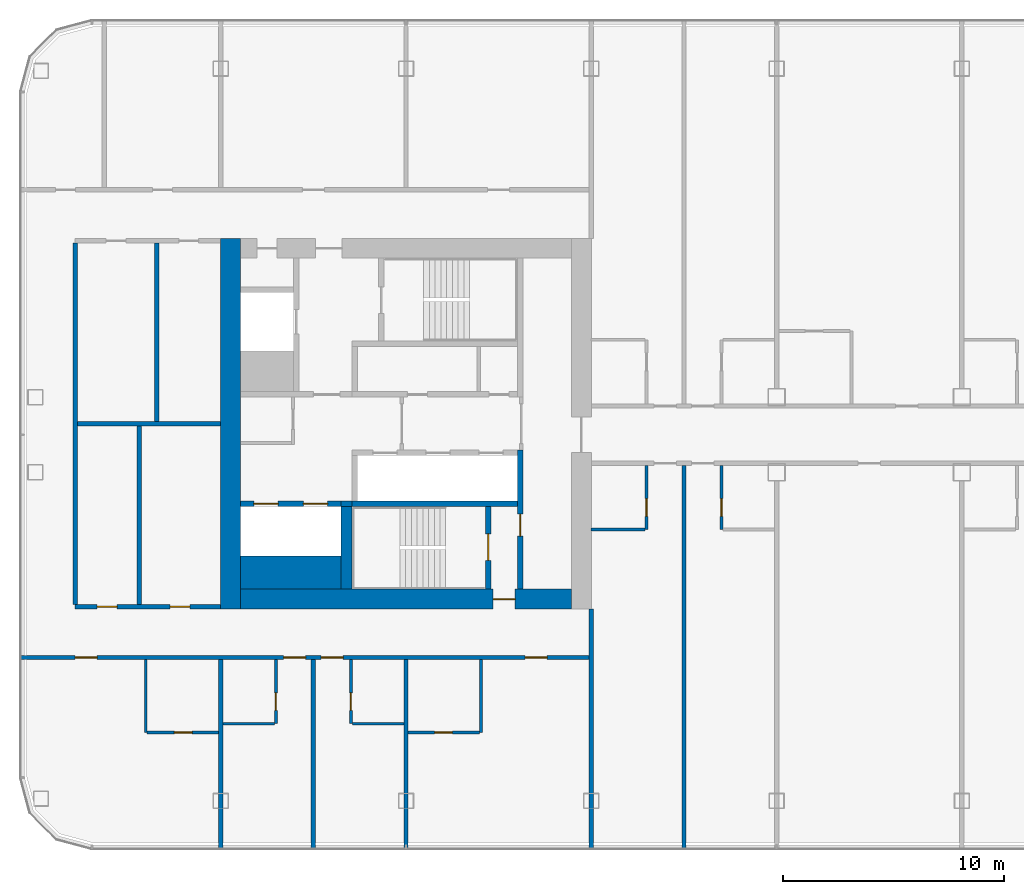
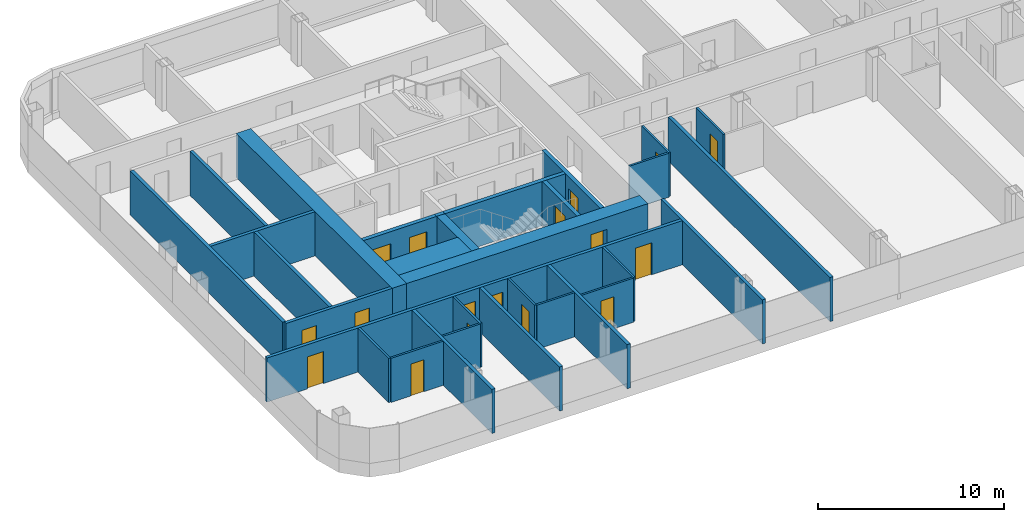
# One storey, part 12 of 26: 31 walls, 17 doors, 17 openings.
"""IFC4 building model written with IfcOpenShell, lengths in metres."""

from ifc_helpers import new_model, si_unit, direction, frame, frame_2d, origin, place, context, subcontext, project, spatial, rectangle, extrude, material, layer, layer_set, type_object, element, fill, save


model = new_model("IFC4")

# Units and contexts
model_context = context("Model", 3, precision=1e-05, world=origin(), true_north=direction((0.0, 1.0)))
body_context = subcontext(model_context, "Body", "Model", "MODEL_VIEW")
ifc_project = project(units=[si_unit("LENGTHUNIT", "METRE"), si_unit("AREAUNIT", "SQUARE_METRE"), si_unit("VOLUMEUNIT", "CUBIC_METRE"), si_unit("PLANEANGLEUNIT", "RADIAN"), si_unit("MASSUNIT", "GRAM", prefix="KILO")], contexts=[model_context])

# Site, building, storey
site_placement = place(None, origin())
site = spatial("IfcSite", under=ifc_project, at=site_placement, CompositionType="ELEMENT")
building_placement = place(site_placement, origin())
building = spatial("IfcBuilding", under=site, at=building_placement, Name="Hakoniwa Tower and Hamabe Station Hall", CompositionType="ELEMENT")
storey_placement = place(building_placement, frame((0.0, 0.0, 172.60009765625)))
storey = spatial("IfcBuildingStorey", under=building, at=storey_placement, Name="L49", CompositionType="ELEMENT", Elevation=172.60009765625)

# Wall, opening, door
ifc_material_1 = material(Name="Gypsum board partition", Category="gypsum")
ifc_layer_1 = layer(ifc_material_1, 0.125)
ifc_layer_set_1 = layer_set([ifc_layer_1], Name="Bathroom Partition 125")
wall_type_1 = type_object("IfcWallType", Name="Bathroom Partition 125", PredefinedType="PARTITIONING", material=ifc_layer_set_1)
wall_1_placement = place(storey_placement, frame((-36.9375, -14.0, 0.0), z_axis=(0.0, 0.0, 1.0), x_axis=(1.0, 0.0, 0.0)))
wall_1 = element("IfcWall", 1, at=wall_1_placement, inside=storey, type_object=wall_type_1, Name="GW-L49-001", PredefinedType="PARTITIONING", context=body_context, shape_type="SweptSolid", body=[
    extrude(rectangle(XDim=3.237548828125, YDim=0.125, at=frame_2d((1.61865234375, 0.0))), origin(), (0.0, 0.0, 1.0), 2.89990234375),
])
opening_1_placement = place(wall_1_placement, frame((1.237548828125, 0.0, 0.0)))
opening_1 = element("IfcOpeningElement", 2, at=opening_1_placement, cuts=wall_1, Name="Opening GD-G3D2-01", PredefinedType="OPENING", context=body_context, shape_type="SweptSolid", body=[
    extrude(rectangle(XDim=0.800048828125, YDim=2.10009765625, at=frame_2d((0.39990234375, 1.050048828125))), frame((0.0, 0.072509765625, 0.0), z_axis=(0.0, -1.0, 0.0), x_axis=(1.0, 0.0, 0.0)), (0.0, 0.0, 1.0), 0.14501953125),
])
ifc_material_2 = material(Name="Timber door leaf", Category="wood")
door_type_1 = type_object("IfcDoorType", Name="Bathroom Door 800", OperationType="SINGLE_SWING_LEFT", PredefinedType="DOOR", material=ifc_material_2)
door_1_placement = place(opening_1_placement, origin())
door_1 = element("IfcDoor", 3, at=door_1_placement, inside=storey, type_object=door_type_1, Name="Door GD-G3D2-01", OperationType="SINGLE_SWING_RIGHT", OverallHeight=2.10009765625, OverallWidth=0.800048828125, PredefinedType="DOOR", context=body_context, shape_type="SweptSolid", body=[
    extrude(rectangle(XDim=0.800048828125, YDim=2.10009765625, at=frame_2d((0.39990234375, 1.050048828125))), frame((0.0, 0.02490234375, 0.0), z_axis=(0.0, -1.0, 0.0), x_axis=(1.0, 0.0, 0.0)), (0.0, 0.0, 1.0), 0.050048828125),
])
fill(opening_1, door_1)

wall_2_placement = place(storey_placement, frame((-25.10009765625, -14.0, 0.0), z_axis=(0.0, 0.0, 1.0), x_axis=(1.0, 0.0, 0.0)))
wall_2 = element("IfcWall", 4, at=wall_2_placement, inside=storey, type_object=wall_type_1, Name="GW-L49-002", PredefinedType="PARTITIONING", context=body_context, shape_type="SweptSolid", body=[
    extrude(rectangle(XDim=3.237548828125, YDim=0.125, at=frame_2d((1.61865234375, 0.0))), origin(), (0.0, 0.0, 1.0), 2.89990234375),
])
opening_2_placement = place(wall_2_placement, frame((1.199951171875, 0.0, 0.0)))
opening_2 = element("IfcOpeningElement", 5, at=opening_2_placement, cuts=wall_2, Name="Opening GD-G3D2-02", PredefinedType="OPENING", context=body_context, shape_type="SweptSolid", body=[
    extrude(rectangle(XDim=0.800048828125, YDim=2.10009765625, at=frame_2d((0.39990234375, 1.050048828125))), frame((0.0, 0.072509765625, 0.0), z_axis=(0.0, -1.0, 0.0), x_axis=(1.0, 0.0, 0.0)), (0.0, 0.0, 1.0), 0.14501953125),
])
door_2_placement = place(opening_2_placement, origin())
door_2 = element("IfcDoor", 6, at=door_2_placement, inside=storey, type_object=door_type_1, Name="Door GD-G3D2-02", OperationType="SINGLE_SWING_LEFT", OverallHeight=2.10009765625, OverallWidth=0.800048828125, PredefinedType="DOOR", context=body_context, shape_type="SweptSolid", body=[
    extrude(rectangle(XDim=0.800048828125, YDim=2.10009765625, at=frame_2d((0.39990234375, 1.050048828125))), frame((0.0, 0.02490234375, 0.0), z_axis=(0.0, -1.0, 0.0), x_axis=(1.0, 0.0, 0.0)), (0.0, 0.0, 1.0), 0.050048828125),
])
fill(opening_2, door_2)

# Walls
for number, where, z_axis, x_axis, name in (
    (7, (-33.5, -13.60009765625, 0.0), (0.0, 0.0, 1.0), (1.0, 0.0, 0.0), "GW-L49-004"),
    (8, (-27.637451171875, -13.60009765625, 0.0), (0.0, 0.0, 1.0), (1.0, 0.0, 0.0), "GW-L49-005"),
):
    element("IfcWall", number, at=place(storey_placement, frame(where, z_axis=z_axis, x_axis=x_axis)), inside=storey, type_object=wall_type_1, Name=name, PredefinedType="PARTITIONING", context=body_context, shape_type="SweptSolid", body=[
        extrude(rectangle(XDim=2.33740234375, YDim=0.125, at=frame_2d((1.168701171875, 0.0))), origin(), (0.0, 0.0, 1.0), 2.89990234375),
    ])
wall_3_placement = place(storey_placement, frame((-16.81005859375, -4.800048828125, 0.0), z_axis=(0.0, 0.0, 1.0), x_axis=(1.0, 0.0, 0.0)))
element("IfcWall", 9, at=wall_3_placement, inside=storey, type_object=wall_type_1, Name="GW-L49-015", PredefinedType="PARTITIONING", context=body_context, shape_type="SweptSolid", body=[
    extrude(rectangle(XDim=2.447509765625, YDim=0.125, at=frame_2d((1.2236328125, 0.0))), origin(), (0.0, 0.0, 1.0), 2.89990234375),
])
wall_4_placement = place(storey_placement, frame((-37.0, -14.0, 0.0), z_axis=(0.0, 0.0, 1.0), x_axis=(0.0, 1.0, 0.0)))
element("IfcWall", 10, at=wall_4_placement, inside=storey, type_object=wall_type_1, Name="GW-L49-036", PredefinedType="PARTITIONING", context=body_context, shape_type="SweptSolid", body=[
    extrude(rectangle(XDim=3.300048828125, YDim=0.125, at=frame_2d((1.64990234375, 0.0))), origin(), (0.0, 0.0, 1.0), 2.89990234375),
])

# Wall, opening, door
wall_5_placement = place(storey_placement, frame((-31.10009765625, -13.60009765625, 0.0), z_axis=(0.0, 0.0, 1.0), x_axis=(0.0, 1.0, 0.0)))
wall_5 = element("IfcWall", 11, at=wall_5_placement, inside=storey, type_object=wall_type_1, Name="GW-L49-040", PredefinedType="PARTITIONING", context=body_context, shape_type="SweptSolid", body=[
    extrude(rectangle(XDim=2.900146484375, YDim=0.125, at=frame_2d((1.4501953125, 0.0))), origin(), (0.0, 0.0, 1.0), 2.89990234375),
])
opening_3_placement = place(wall_5_placement, frame((0.60009765625, 0.0, 0.0)))
opening_3 = element("IfcOpeningElement", 12, at=opening_3_placement, cuts=wall_5, Name="Opening GD-G3D2-42", PredefinedType="OPENING", context=body_context, shape_type="SweptSolid", body=[
    extrude(rectangle(XDim=0.800048828125, YDim=2.10009765625, at=frame_2d((0.39990234375, 1.050048828125))), frame((0.0, 0.072509765625, 0.0), z_axis=(0.0, -1.0, 0.0), x_axis=(1.0, 0.0, 0.0)), (0.0, 0.0, 1.0), 0.14501953125),
])
door_3_placement = place(opening_3_placement, origin())
door_3 = element("IfcDoor", 13, at=door_3_placement, inside=storey, type_object=door_type_1, Name="Door GD-G3D2-42", OperationType="SINGLE_SWING_RIGHT", OverallHeight=2.10009765625, OverallWidth=0.800048828125, PredefinedType="DOOR", context=body_context, shape_type="SweptSolid", body=[
    extrude(rectangle(XDim=0.800048828125, YDim=2.10009765625, at=frame_2d((0.39990234375, 1.050048828125))), frame((0.0, 0.02490234375, 0.0), z_axis=(0.0, -1.0, 0.0), x_axis=(1.0, 0.0, 0.0)), (0.0, 0.0, 1.0), 0.050048828125),
])
fill(opening_3, door_3)

wall_6_placement = place(storey_placement, frame((-27.699951171875, -13.60009765625, 0.0), z_axis=(0.0, 0.0, 1.0), x_axis=(0.0, 1.0, 0.0)))
wall_6 = element("IfcWall", 14, at=wall_6_placement, inside=storey, type_object=wall_type_1, Name="GW-L49-042", PredefinedType="PARTITIONING", context=body_context, shape_type="SweptSolid", body=[
    extrude(rectangle(XDim=2.900146484375, YDim=0.125, at=frame_2d((1.4501953125, 0.0))), origin(), (0.0, 0.0, 1.0), 2.89990234375),
])
opening_4_placement = place(wall_6_placement, frame((0.60009765625, 0.0, 0.0)))
opening_4 = element("IfcOpeningElement", 15, at=opening_4_placement, cuts=wall_6, Name="Opening GD-G3D2-43", PredefinedType="OPENING", context=body_context, shape_type="SweptSolid", body=[
    extrude(rectangle(XDim=0.800048828125, YDim=2.10009765625, at=frame_2d((0.39990234375, 1.050048828125))), frame((0.0, 0.072509765625, 0.0), z_axis=(0.0, -1.0, 0.0), x_axis=(1.0, 0.0, 0.0)), (0.0, 0.0, 1.0), 0.14501953125),
])
door_4_placement = place(opening_4_placement, origin())
door_4 = element("IfcDoor", 16, at=door_4_placement, inside=storey, type_object=door_type_1, Name="Door GD-G3D2-43", OperationType="SINGLE_SWING_LEFT", OverallHeight=2.10009765625, OverallWidth=0.800048828125, PredefinedType="DOOR", context=body_context, shape_type="SweptSolid", body=[
    extrude(rectangle(XDim=0.800048828125, YDim=2.10009765625, at=frame_2d((0.39990234375, 1.050048828125))), frame((0.0, 0.02490234375, 0.0), z_axis=(0.0, -1.0, 0.0), x_axis=(1.0, 0.0, 0.0)), (0.0, 0.0, 1.0), 0.050048828125),
])
fill(opening_4, door_4)

# Wall
wall_7_placement = place(storey_placement, frame((-21.800048828125, -14.0, 0.0), z_axis=(0.0, 0.0, 1.0), x_axis=(0.0, 1.0, 0.0)))
element("IfcWall", 17, at=wall_7_placement, inside=storey, type_object=wall_type_1, Name="GW-L49-045", PredefinedType="PARTITIONING", context=body_context, shape_type="SweptSolid", body=[
    extrude(rectangle(XDim=3.300048828125, YDim=0.125, at=frame_2d((1.64990234375, 0.0))), origin(), (0.0, 0.0, 1.0), 2.89990234375),
])

# Wall, opening, door
wall_8_placement = place(storey_placement, frame((-14.300048828125, -4.800048828125, 0.0), z_axis=(0.0, 0.0, 1.0), x_axis=(0.0, 1.0, 0.0)))
wall_8 = element("IfcWall", 18, at=wall_8_placement, inside=storey, type_object=wall_type_1, Name="GW-L49-048", PredefinedType="PARTITIONING", context=body_context, shape_type="SweptSolid", body=[
    extrude(rectangle(XDim=2.900146484375, YDim=0.125, at=frame_2d((1.4501953125, 0.0))), origin(), (0.0, 0.0, 1.0), 2.89990234375),
])
opening_5_placement = place(wall_8_placement, frame((0.60009765625, 0.0, 0.0)))
opening_5 = element("IfcOpeningElement", 19, at=opening_5_placement, cuts=wall_8, Name="Opening GD-G3D2-44", PredefinedType="OPENING", context=body_context, shape_type="SweptSolid", body=[
    extrude(rectangle(XDim=0.800048828125, YDim=2.10009765625, at=frame_2d((0.39990234375, 1.050048828125))), frame((0.0, 0.072509765625, 0.0), z_axis=(0.0, -1.0, 0.0), x_axis=(1.0, 0.0, 0.0)), (0.0, 0.0, 1.0), 0.14501953125),
])
door_5_placement = place(opening_5_placement, origin())
door_5 = element("IfcDoor", 20, at=door_5_placement, inside=storey, type_object=door_type_1, Name="Door GD-G3D2-44", OperationType="SINGLE_SWING_RIGHT", OverallHeight=2.10009765625, OverallWidth=0.800048828125, PredefinedType="DOOR", context=body_context, shape_type="SweptSolid", body=[
    extrude(rectangle(XDim=0.800048828125, YDim=2.10009765625, at=frame_2d((0.39990234375, 1.050048828125))), frame((0.0, 0.02490234375, 0.0), z_axis=(0.0, -1.0, 0.0), x_axis=(1.0, 0.0, 0.0)), (0.0, 0.0, 1.0), 0.050048828125),
])
fill(opening_5, door_5)

wall_9_placement = place(storey_placement, frame((-10.89990234375, -4.800048828125, 0.0), z_axis=(0.0, 0.0, 1.0), x_axis=(0.0, 1.0, 0.0)))
wall_9 = element("IfcWall", 21, at=wall_9_placement, inside=storey, type_object=wall_type_1, Name="GW-L49-052", PredefinedType="PARTITIONING", context=body_context, shape_type="SweptSolid", body=[
    extrude(rectangle(XDim=2.900146484375, YDim=0.125, at=frame_2d((1.4501953125, 0.0))), origin(), (0.0, 0.0, 1.0), 2.89990234375),
])
opening_6_placement = place(wall_9_placement, frame((0.60009765625, 0.0, 0.0)))
opening_6 = element("IfcOpeningElement", 22, at=opening_6_placement, cuts=wall_9, Name="Opening GD-G3D2-46", PredefinedType="OPENING", context=body_context, shape_type="SweptSolid", body=[
    extrude(rectangle(XDim=0.800048828125, YDim=2.10009765625, at=frame_2d((0.39990234375, 1.050048828125))), frame((0.0, 0.072509765625, 0.0), z_axis=(0.0, -1.0, 0.0), x_axis=(1.0, 0.0, 0.0)), (0.0, 0.0, 1.0), 0.14501953125),
])
door_6_placement = place(opening_6_placement, origin())
door_6 = element("IfcDoor", 23, at=door_6_placement, inside=storey, type_object=door_type_1, Name="Door GD-G3D2-46", OperationType="SINGLE_SWING_LEFT", OverallHeight=2.10009765625, OverallWidth=0.800048828125, PredefinedType="DOOR", context=body_context, shape_type="SweptSolid", body=[
    extrude(rectangle(XDim=0.800048828125, YDim=2.10009765625, at=frame_2d((0.39990234375, 1.050048828125))), frame((0.0, 0.02490234375, 0.0), z_axis=(0.0, -1.0, 0.0), x_axis=(1.0, 0.0, 0.0)), (0.0, 0.0, 1.0), 0.050048828125),
])
fill(opening_6, door_6)

# Wall
ifc_material_3 = material(Name="Concrete C66", Category="concrete")
ifc_layer_2 = layer(ifc_material_3, 0.89990234375)
ifc_layer_set_2 = layer_set([ifc_layer_2], Name="CORE WALL 900 C66")
wall_type_2 = type_object("IfcWallType", Name="CORE WALL 900 C66", PredefinedType="SHEAR", material=ifc_layer_set_2)
wall_10_placement = place(storey_placement, frame((-33.14990234375, -8.39990234375, 0.0), z_axis=(0.0, 0.0, 1.0), x_axis=(0.0, 1.0, 0.0)))
element("IfcWall", 24, at=wall_10_placement, inside=storey, type_object=wall_type_2, Name="Core wall OUTER west", PredefinedType="SHEAR", context=body_context, shape_type="SweptSolid", body=[
    extrude(rectangle(XDim=16.7998046875, YDim=0.89990234375, at=frame_2d((8.39990234375, 0.0))), origin(), (0.0, 0.0, 1.0), 2.89990234375),
])

# Wall, opening, door
wall_11_placement = place(storey_placement, frame((-32.699951171875, -7.949951171875, 0.0), z_axis=(0.0, 0.0, 1.0), x_axis=(1.0, 0.0, 0.0)))
wall_11 = element("IfcWall", 25, at=wall_11_placement, inside=storey, type_object=wall_type_2, Name="Core wall SOUTH west", PredefinedType="SHEAR", context=body_context, shape_type="SweptSolid", body=[
    extrude(rectangle(XDim=15.0, YDim=0.89990234375, at=frame_2d((7.5, 0.0))), origin(), (0.0, 0.0, 1.0), 2.89990234375),
])
opening_7_placement = place(wall_11_placement, frame((11.449951171875, 0.0, 0.0)))
opening_7 = element("IfcOpeningElement", 26, at=opening_7_placement, cuts=wall_11, Name="Opening CD-W-FS3-10", PredefinedType="OPENING", context=body_context, shape_type="SweptSolid", body=[
    extrude(rectangle(XDim=1.0, YDim=2.10009765625, at=frame_2d((0.5, 1.050048828125))), frame((0.0, 0.4599609375, 0.0), z_axis=(0.0, -1.0, 0.0), x_axis=(1.0, 0.0, 0.0)), (0.0, 0.0, 1.0), 0.919921875),
])
ifc_material_4 = material(Name="Steel fire door", Category="steel")
door_type_2 = type_object("IfcDoorType", Name="CORE DOOR 1000 FD60", OperationType="NOTDEFINED", PredefinedType="DOOR", material=ifc_material_4)
door_7_placement = place(opening_7_placement, origin())
door_7 = element("IfcDoor", 27, at=door_7_placement, inside=storey, type_object=door_type_2, Name="Stair vestibule door", OperationType="SINGLE_SWING_LEFT", OverallHeight=2.10009765625, OverallWidth=1.0, PredefinedType="DOOR", context=body_context, shape_type="SweptSolid", body=[
    extrude(rectangle(XDim=1.0, YDim=2.10009765625, at=frame_2d((0.5, 1.050048828125))), frame((0.0, 0.02490234375, 0.0), z_axis=(0.0, -1.0, 0.0), x_axis=(1.0, 0.0, 0.0)), (0.0, 0.0, 1.0), 0.050048828125),
])
fill(opening_7, door_7)

# Wall
ifc_material_5 = material(Name="Concrete C66", Category="concrete")
ifc_layer_3 = layer(ifc_material_5, 1.5)
ifc_layer_set_3 = layer_set([ifc_layer_3], Name="CORE WEB WALL 1500 C66")
wall_type_3 = type_object("IfcWallType", Name="CORE WEB WALL 1500 C66", PredefinedType="SHEAR", material=ifc_layer_set_3)
wall_12_placement = place(storey_placement, frame((-32.699951171875, -6.75, 0.0), z_axis=(0.0, 0.0, 1.0), x_axis=(1.0, 0.0, 0.0)))
element("IfcWall", 28, at=wall_12_placement, inside=storey, type_object=wall_type_3, Name="Core wall SER west", PredefinedType="SHEAR", context=body_context, shape_type="SweptSolid", body=[
    extrude(rectangle(XDim=4.550048828125, YDim=1.5, at=frame_2d((2.27490234375, 0.0))), origin(), (0.0, 0.0, 1.0), 2.89990234375),
])

# Wall, opening, door
ifc_material_6 = material(Name="Concrete C66", Category="concrete")
ifc_layer_4 = layer(ifc_material_6, 0.25)
ifc_layer_set_4 = layer_set([ifc_layer_4], Name="CORE WEB WALL 250 C66")
wall_type_4 = type_object("IfcWallType", Name="CORE WEB WALL 250 C66", PredefinedType="SHEAR", material=ifc_layer_set_4)
wall_13_placement = place(storey_placement, frame((-20.02490234375, -7.5, 0.0), z_axis=(0.0, 0.0, 1.0), x_axis=(0.0, 1.0, 0.0)))
wall_13 = element("IfcWall", 29, at=wall_13_placement, inside=storey, type_object=wall_type_4, Name="Core wall W1S west", PredefinedType="SHEAR", context=body_context, shape_type="SweptSolid", body=[
    extrude(rectangle(XDim=6.300048828125, YDim=0.25, at=frame_2d((3.14990234375, 0.0))), origin(), (0.0, 0.0, 1.0), 2.89990234375),
])
opening_8_placement = place(wall_13_placement, frame((2.39990234375, 0.0, 0.0)))
opening_8 = element("IfcOpeningElement", 30, at=opening_8_placement, cuts=wall_13, Name="Opening CD-W-VS-10", PredefinedType="OPENING", context=body_context, shape_type="SweptSolid", body=[
    extrude(rectangle(XDim=1.0, YDim=2.10009765625, at=frame_2d((0.5, 1.050048828125))), frame((0.0, 0.135009765625, 0.0), z_axis=(0.0, -1.0, 0.0), x_axis=(1.0, 0.0, 0.0)), (0.0, 0.0, 1.0), 0.27001953125),
])
door_8_placement = place(opening_8_placement, origin())
door_8 = element("IfcDoor", 31, at=door_8_placement, inside=storey, type_object=door_type_2, Name="Stair vestibule door", OperationType="SINGLE_SWING_LEFT", OverallHeight=2.10009765625, OverallWidth=1.0, PredefinedType="DOOR", context=body_context, shape_type="SweptSolid", body=[
    extrude(rectangle(XDim=1.0, YDim=2.10009765625, at=frame_2d((0.5, 1.050048828125))), frame((0.0, 0.02490234375, 0.0), z_axis=(0.0, -1.0, 0.0), x_axis=(1.0, 0.0, 0.0)), (0.0, 0.0, 1.0), 0.050048828125),
])
fill(opening_8, door_8)

# Wall
wall_14_placement = place(storey_placement, frame((-27.64990234375, -3.625, 0.0), z_axis=(0.0, 0.0, 1.0), x_axis=(1.0, 0.0, 0.0)))
element("IfcWall", 32, at=wall_14_placement, inside=storey, type_object=wall_type_4, Name="Core wall SR west", PredefinedType="SHEAR", context=body_context, shape_type="SweptSolid", body=[
    extrude(rectangle(XDim=7.5, YDim=0.25, at=frame_2d((3.75, 0.0))), origin(), (0.0, 0.0, 1.0), 2.89990234375),
])

# Wall, opening, door
wall_15_placement = place(storey_placement, frame((-21.47509765625, -7.5, 0.0), z_axis=(0.0, 0.0, 1.0), x_axis=(0.0, 1.0, 0.0)))
wall_15 = element("IfcWall", 33, at=wall_15_placement, inside=storey, type_object=wall_type_4, Name="Core wall VE west", PredefinedType="SHEAR", context=body_context, shape_type="SweptSolid", body=[
    extrude(rectangle(XDim=3.75, YDim=0.25, at=frame_2d((1.875, 0.0))), origin(), (0.0, 0.0, 1.0), 2.89990234375),
])
opening_9_placement = place(wall_15_placement, frame((1.300048828125, 0.0, 0.0)))
opening_9 = element("IfcOpeningElement", 34, at=opening_9_placement, cuts=wall_15, Name="Opening CD-W-SS-12", PredefinedType="OPENING", context=body_context, shape_type="SweptSolid", body=[
    extrude(rectangle(XDim=1.199951171875, YDim=2.10009765625, at=frame_2d((0.60009765625, 1.050048828125))), frame((0.0, 0.135009765625, 0.0), z_axis=(0.0, -1.0, 0.0), x_axis=(1.0, 0.0, 0.0)), (0.0, 0.0, 1.0), 0.27001953125),
])
ifc_material_7 = material(Name="Steel fire door", Category="steel")
door_type_3 = type_object("IfcDoorType", Name="CORE DOOR 1200 FD60", OperationType="DOUBLE_DOOR_SINGLE_SWING", PredefinedType="DOOR", material=ifc_material_7)
door_9_placement = place(opening_9_placement, origin())
door_9 = element("IfcDoor", 35, at=door_9_placement, inside=storey, type_object=door_type_3, Name="Escape stair door", OperationType="DOUBLE_DOOR_SINGLE_SWING", OverallHeight=2.10009765625, OverallWidth=1.199951171875, PredefinedType="DOOR", context=body_context, shape_type="SweptSolid", body=[
    extrude(rectangle(XDim=1.199951171875, YDim=2.10009765625, at=frame_2d((0.60009765625, 1.050048828125))), frame((0.0, 0.02490234375, 0.0), z_axis=(0.0, -1.0, 0.0), x_axis=(1.0, 0.0, 0.0)), (0.0, 0.0, 1.0), 0.050048828125),
])
fill(opening_9, door_9)

# Wall, openings, doors
wall_16_placement = place(storey_placement, frame((-32.699951171875, -3.625, 0.0), z_axis=(0.0, 0.0, 1.0), x_axis=(1.0, 0.0, 0.0)))
wall_16 = element("IfcWall", 36, at=wall_16_placement, inside=storey, type_object=wall_type_4, Name="Core wall SEF west", PredefinedType="SHEAR", context=body_context, shape_type="SweptSolid", body=[
    extrude(rectangle(XDim=4.550048828125, YDim=0.25, at=frame_2d((2.27490234375, 0.0))), origin(), (0.0, 0.0, 1.0), 2.89990234375),
])
opening_10_placement = place(wall_16_placement, frame((2.85009765625, 0.0, 0.0)))
opening_10 = element("IfcOpeningElement", 37, at=opening_10_placement, cuts=wall_16, Name="Opening LD-SV1", PredefinedType="OPENING", context=body_context, shape_type="SweptSolid", body=[
    extrude(rectangle(XDim=1.10009765625, YDim=2.10009765625, at=frame_2d((0.550048828125, 1.050048828125))), frame((0.0, 0.135009765625, 0.0), z_axis=(0.0, -1.0, 0.0), x_axis=(1.0, 0.0, 0.0)), (0.0, 0.0, 1.0), 0.27001953125),
])
opening_11_placement = place(wall_16_placement, frame((0.60009765625, 0.0, 0.0)))
opening_11 = element("IfcOpeningElement", 38, at=opening_11_placement, cuts=wall_16, Name="Opening LD-SV2", PredefinedType="OPENING", context=body_context, shape_type="SweptSolid", body=[
    extrude(rectangle(XDim=1.10009765625, YDim=2.10009765625, at=frame_2d((0.550048828125, 1.050048828125))), frame((0.0, 0.135009765625, 0.0), z_axis=(0.0, -1.0, 0.0), x_axis=(1.0, 0.0, 0.0)), (0.0, 0.0, 1.0), 0.27001953125),
])
ifc_material_8 = material(Name="Stainless steel SUS304", Category="steel")
door_type_4 = type_object("IfcDoorType", Name="LIFT LANDING DOOR 1100 FD60", OperationType="DOUBLE_DOOR_SLIDING", PredefinedType="DOOR", material=ifc_material_8)
door_10_placement = place(opening_10_placement, origin())
door_10 = element("IfcDoor", 39, at=door_10_placement, inside=storey, type_object=door_type_4, Name="Lift landing door SV1 L49", OperationType="DOUBLE_DOOR_SLIDING", OverallHeight=2.10009765625, OverallWidth=1.10009765625, PredefinedType="DOOR", context=body_context, shape_type="SweptSolid", body=[
    extrude(rectangle(XDim=1.10009765625, YDim=2.10009765625, at=frame_2d((0.550048828125, 1.050048828125))), frame((0.0, 0.02490234375, 0.0), z_axis=(0.0, -1.0, 0.0), x_axis=(1.0, 0.0, 0.0)), (0.0, 0.0, 1.0), 0.050048828125),
])
fill(opening_10, door_10)
door_11_placement = place(opening_11_placement, origin())
door_11 = element("IfcDoor", 40, at=door_11_placement, inside=storey, type_object=door_type_4, Name="Lift landing door SV2 L49", OperationType="DOUBLE_DOOR_SLIDING", OverallHeight=2.10009765625, OverallWidth=1.10009765625, PredefinedType="DOOR", context=body_context, shape_type="SweptSolid", body=[
    extrude(rectangle(XDim=1.10009765625, YDim=2.10009765625, at=frame_2d((0.550048828125, 1.050048828125))), frame((0.0, 0.02490234375, 0.0), z_axis=(0.0, -1.0, 0.0), x_axis=(1.0, 0.0, 0.0)), (0.0, 0.0, 1.0), 0.050048828125),
])
fill(opening_11, door_11)

# Walls
wall_17_placement = place(storey_placement, frame((-28.14990234375, -3.625, 0.0), z_axis=(0.0, 0.0, 1.0), x_axis=(1.0, 0.0, 0.0)))
element("IfcWall", 41, at=wall_17_placement, inside=storey, type_object=wall_type_4, Name="Core wall SRK west", PredefinedType="SHEAR", context=body_context, shape_type="SweptSolid", body=[
    extrude(rectangle(XDim=0.5, YDim=0.25, at=frame_2d((0.25, 0.0))), origin(), (0.0, 0.0, 1.0), 2.89990234375),
])
ifc_material_9 = material(Name="Concrete C66", Category="concrete")
ifc_layer_5 = layer(ifc_material_9, 0.5)
ifc_layer_set_5 = layer_set([ifc_layer_5], Name="CORE WEB WALL 500 C66")
wall_type_5 = type_object("IfcWallType", Name="CORE WEB WALL 500 C66", PredefinedType="SHEAR", material=ifc_layer_set_5)
wall_18_placement = place(storey_placement, frame((-27.89990234375, -7.5, 0.0), z_axis=(0.0, 0.0, 1.0), x_axis=(0.0, 1.0, 0.0)))
element("IfcWall", 42, at=wall_18_placement, inside=storey, type_object=wall_type_5, Name="Core wall SSE west", PredefinedType="SHEAR", context=body_context, shape_type="SweptSolid", body=[
    extrude(rectangle(XDim=3.75, YDim=0.5, at=frame_2d((1.875, 0.0))), origin(), (0.0, 0.0, 1.0), 2.89990234375),
])

# Wall, openings, doors
ifc_material_10 = material(Name="Fire-rated gypsum board partition", Category="gypsum")
ifc_layer_6 = layer(ifc_material_10, 0.199951171875)
ifc_layer_set_6 = layer_set([ifc_layer_6], Name="Corridor Wall 200")
wall_type_6 = type_object("IfcWallType", Name="Corridor Wall 200", PredefinedType="PARTITIONING", material=ifc_layer_set_6)
wall_19_placement = place(storey_placement, frame((-42.699951171875, -10.60009765625, 0.0), z_axis=(0.0, 0.0, 1.0), x_axis=(1.0, 0.0, 0.0)))
wall_19 = element("IfcWall", 43, at=wall_19_placement, inside=storey, type_object=wall_type_6, Name="GW-L49-010", PredefinedType="PARTITIONING", context=body_context, shape_type="SweptSolid", body=[
    extrude(rectangle(XDim=25.89990234375, YDim=0.199951171875, at=frame_2d((12.949951171875, 0.0))), origin(), (0.0, 0.0, 1.0), 2.89990234375),
])
opening_12_placement = place(wall_19_placement, frame((2.5, 0.0, 0.0)))
opening_12 = element("IfcOpeningElement", 44, at=opening_12_placement, cuts=wall_19, Name="Opening GD-G3D2-04", PredefinedType="OPENING", context=body_context, shape_type="SweptSolid", body=[
    extrude(rectangle(XDim=1.0, YDim=2.10009765625, at=frame_2d((0.5, 1.050048828125))), frame((0.0, 0.10986328125, 0.0), z_axis=(0.0, -1.0, 0.0), x_axis=(1.0, 0.0, 0.0)), (0.0, 0.0, 1.0), 0.219970703125),
])
opening_13_placement = place(wall_19_placement, frame((11.949951171875, 0.0, 0.0)))
opening_13 = element("IfcOpeningElement", 45, at=opening_13_placement, cuts=wall_19, Name="Opening GD-G3D2-05", PredefinedType="OPENING", context=body_context, shape_type="SweptSolid", body=[
    extrude(rectangle(XDim=1.0, YDim=2.10009765625, at=frame_2d((0.5, 1.050048828125))), frame((0.0, 0.10986328125, 0.0), z_axis=(0.0, -1.0, 0.0), x_axis=(1.0, 0.0, 0.0)), (0.0, 0.0, 1.0), 0.219970703125),
])
opening_14_placement = place(wall_19_placement, frame((13.64990234375, 0.0, 0.0)))
opening_14 = element("IfcOpeningElement", 46, at=opening_14_placement, cuts=wall_19, Name="Opening GD-G3D2-06", PredefinedType="OPENING", context=body_context, shape_type="SweptSolid", body=[
    extrude(rectangle(XDim=1.0, YDim=2.10009765625, at=frame_2d((0.5, 1.050048828125))), frame((0.0, 0.10986328125, 0.0), z_axis=(0.0, -1.0, 0.0), x_axis=(1.0, 0.0, 0.0)), (0.0, 0.0, 1.0), 0.219970703125),
])
opening_15_placement = place(wall_19_placement, frame((22.89990234375, 0.0, 0.0)))
opening_15 = element("IfcOpeningElement", 47, at=opening_15_placement, cuts=wall_19, Name="Opening GD-G3D2-07", PredefinedType="OPENING", context=body_context, shape_type="SweptSolid", body=[
    extrude(rectangle(XDim=1.0, YDim=2.10009765625, at=frame_2d((0.5, 1.050048828125))), frame((0.0, 0.10986328125, 0.0), z_axis=(0.0, -1.0, 0.0), x_axis=(1.0, 0.0, 0.0)), (0.0, 0.0, 1.0), 0.219970703125),
])
ifc_material_11 = material(Name="Timber door leaf", Category="wood")
door_type_5 = type_object("IfcDoorType", Name="Guest Entrance Door 1000", OperationType="SINGLE_SWING_LEFT", PredefinedType="DOOR", material=ifc_material_11)
door_12_placement = place(opening_12_placement, origin())
door_12 = element("IfcDoor", 48, at=door_12_placement, inside=storey, type_object=door_type_5, Name="Door GD-G3D2-04", OperationType="SINGLE_SWING_RIGHT", OverallHeight=2.10009765625, OverallWidth=1.0, PredefinedType="DOOR", context=body_context, shape_type="SweptSolid", body=[
    extrude(rectangle(XDim=1.0, YDim=2.10009765625, at=frame_2d((0.5, 1.050048828125))), frame((0.0, 0.02490234375, 0.0), z_axis=(0.0, -1.0, 0.0), x_axis=(1.0, 0.0, 0.0)), (0.0, 0.0, 1.0), 0.050048828125),
])
fill(opening_12, door_12)
door_13_placement = place(opening_13_placement, origin())
door_13 = element("IfcDoor", 49, at=door_13_placement, inside=storey, type_object=door_type_5, Name="Door GD-G3D2-05", OperationType="SINGLE_SWING_LEFT", OverallHeight=2.10009765625, OverallWidth=1.0, PredefinedType="DOOR", context=body_context, shape_type="SweptSolid", body=[
    extrude(rectangle(XDim=1.0, YDim=2.10009765625, at=frame_2d((0.5, 1.050048828125))), frame((0.0, 0.02490234375, 0.0), z_axis=(0.0, -1.0, 0.0), x_axis=(1.0, 0.0, 0.0)), (0.0, 0.0, 1.0), 0.050048828125),
])
fill(opening_13, door_13)
door_14_placement = place(opening_14_placement, origin())
door_14 = element("IfcDoor", 50, at=door_14_placement, inside=storey, type_object=door_type_5, Name="Door GD-G3D2-06", OperationType="SINGLE_SWING_RIGHT", OverallHeight=2.10009765625, OverallWidth=1.0, PredefinedType="DOOR", context=body_context, shape_type="SweptSolid", body=[
    extrude(rectangle(XDim=1.0, YDim=2.10009765625, at=frame_2d((0.5, 1.050048828125))), frame((0.0, 0.02490234375, 0.0), z_axis=(0.0, -1.0, 0.0), x_axis=(1.0, 0.0, 0.0)), (0.0, 0.0, 1.0), 0.050048828125),
])
fill(opening_14, door_14)
door_15_placement = place(opening_15_placement, origin())
door_15 = element("IfcDoor", 51, at=door_15_placement, inside=storey, type_object=door_type_5, Name="Door GD-G3D2-07", OperationType="SINGLE_SWING_LEFT", OverallHeight=2.10009765625, OverallWidth=1.0, PredefinedType="DOOR", context=body_context, shape_type="SweptSolid", body=[
    extrude(rectangle(XDim=1.0, YDim=2.10009765625, at=frame_2d((0.5, 1.050048828125))), frame((0.0, 0.02490234375, 0.0), z_axis=(0.0, -1.0, 0.0), x_axis=(1.0, 0.0, 0.0)), (0.0, 0.0, 1.0), 0.050048828125),
])
fill(opening_15, door_15)

wall_20_placement = place(storey_placement, frame((-40.199951171875, -8.300048828125, 0.0), z_axis=(0.0, 0.0, 1.0), x_axis=(1.0, 0.0, 0.0)))
wall_20 = element("IfcWall", 52, at=wall_20_placement, inside=storey, type_object=wall_type_6, Name="GW-L49-012", PredefinedType="PARTITIONING", context=body_context, shape_type="SweptSolid", body=[
    extrude(rectangle(XDim=6.599853515625, YDim=0.199951171875, at=frame_2d((3.2998046875, 0.0))), origin(), (0.0, 0.0, 1.0), 2.89990234375),
])
opening_16_placement = place(wall_20_placement, frame((1.0, 0.0, 0.0)))
opening_16 = element("IfcOpeningElement", 53, at=opening_16_placement, cuts=wall_20, Name="Opening GD-G3D2-13", PredefinedType="OPENING", context=body_context, shape_type="SweptSolid", body=[
    extrude(rectangle(XDim=0.89990234375, YDim=2.10009765625, at=frame_2d((0.449951171875, 1.050048828125))), frame((0.0, 0.10986328125, 0.0), z_axis=(0.0, -1.0, 0.0), x_axis=(1.0, 0.0, 0.0)), (0.0, 0.0, 1.0), 0.219970703125),
])
opening_17_placement = place(wall_20_placement, frame((4.300048828125, 0.0, 0.0)))
opening_17 = element("IfcOpeningElement", 54, at=opening_17_placement, cuts=wall_20, Name="Opening GD-G3D2-14", PredefinedType="OPENING", context=body_context, shape_type="SweptSolid", body=[
    extrude(rectangle(XDim=0.89990234375, YDim=2.10009765625, at=frame_2d((0.449951171875, 1.050048828125))), frame((0.0, 0.10986328125, 0.0), z_axis=(0.0, -1.0, 0.0), x_axis=(1.0, 0.0, 0.0)), (0.0, 0.0, 1.0), 0.219970703125),
])
ifc_material_12 = material(Name="Timber door leaf", Category="wood")
door_type_6 = type_object("IfcDoorType", Name="Service Door 900", OperationType="SINGLE_SWING_LEFT", PredefinedType="DOOR", material=ifc_material_12)
door_16_placement = place(opening_16_placement, origin())
door_16 = element("IfcDoor", 55, at=door_16_placement, inside=storey, type_object=door_type_6, Name="Door GD-G3D2-13", OperationType="SINGLE_SWING_LEFT", OverallHeight=2.10009765625, OverallWidth=0.89990234375, PredefinedType="DOOR", context=body_context, shape_type="SweptSolid", body=[
    extrude(rectangle(XDim=0.89990234375, YDim=2.10009765625, at=frame_2d((0.449951171875, 1.050048828125))), frame((0.0, 0.02490234375, 0.0), z_axis=(0.0, -1.0, 0.0), x_axis=(1.0, 0.0, 0.0)), (0.0, 0.0, 1.0), 0.050048828125),
])
fill(opening_16, door_16)
door_17_placement = place(opening_17_placement, origin())
door_17 = element("IfcDoor", 56, at=door_17_placement, inside=storey, type_object=door_type_6, Name="Door GD-G3D2-14", OperationType="SINGLE_SWING_RIGHT", OverallHeight=2.10009765625, OverallWidth=0.89990234375, PredefinedType="DOOR", context=body_context, shape_type="SweptSolid", body=[
    extrude(rectangle(XDim=0.89990234375, YDim=2.10009765625, at=frame_2d((0.449951171875, 1.050048828125))), frame((0.0, 0.02490234375, 0.0), z_axis=(0.0, -1.0, 0.0), x_axis=(1.0, 0.0, 0.0)), (0.0, 0.0, 1.0), 0.050048828125),
])
fill(opening_17, door_17)

# Walls
ifc_material_13 = material(Name="Fire-rated gypsum board partition", Category="gypsum")
ifc_layer_7 = layer(ifc_material_13, 0.199951171875)
ifc_layer_set_7 = layer_set([ifc_layer_7], Name="Party Wall 200")
wall_type_7 = type_object("IfcWallType", Name="Party Wall 200", PredefinedType="PARTITIONING", material=ifc_layer_set_7)
wall_21_placement = place(storey_placement, frame((-40.10009765625, 0.0, 0.0), z_axis=(0.0, 0.0, 1.0), x_axis=(1.0, 0.0, 0.0)))
element("IfcWall", 57, at=wall_21_placement, inside=storey, type_object=wall_type_7, Name="GW-L49-020", PredefinedType="PARTITIONING", context=body_context, shape_type="SweptSolid", body=[
    extrude(rectangle(XDim=6.5, YDim=0.199951171875, at=frame_2d((3.25, 0.0))), origin(), (0.0, 0.0, 1.0), 2.89990234375),
])
wall_22_placement = place(storey_placement, frame((-40.199951171875, -8.199951171875, 0.0), z_axis=(0.0, 0.0, 1.0), x_axis=(0.0, 1.0, 0.0)))
element("IfcWall", 58, at=wall_22_placement, inside=storey, type_object=wall_type_7, Name="GW-L49-033", PredefinedType="PARTITIONING", context=body_context, shape_type="SweptSolid", body=[
    extrude(rectangle(XDim=16.39990234375, YDim=0.199951171875, at=frame_2d((8.199951171875, 0.0))), origin(), (0.0, 0.0, 1.0), 2.89990234375),
])
for number, where, z_axis, x_axis, name in (
    (59, (-37.300048828125, -8.199951171875, 0.0), (0.0, 0.0, 1.0), (0.0, 1.0, 0.0), "GW-L49-035"),
    (60, (-36.5, 0.0, 0.0), (0.0, 0.0, 1.0), (0.0, 1.0, 0.0), "GW-L49-037"),
):
    element("IfcWall", number, at=place(storey_placement, frame(where, z_axis=z_axis, x_axis=x_axis)), inside=storey, type_object=wall_type_7, Name=name, PredefinedType="PARTITIONING", context=body_context, shape_type="SweptSolid", body=[
        extrude(rectangle(XDim=8.199951171875, YDim=0.199951171875, at=frame_2d((4.10009765625, 0.0))), origin(), (0.0, 0.0, 1.0), 2.89990234375),
    ])
for number, where, z_axis, x_axis, name in (
    (61, (-33.60009765625, -19.300048828125, 0.0), (0.0, 0.0, 1.0), (0.0, 1.0, 0.0), "GW-L49-038"),
    (62, (-29.39990234375, -19.300048828125, 0.0), (0.0, 0.0, 1.0), (0.0, 1.0, 0.0), "GW-L49-041"),
    (63, (-25.199951171875, -19.300048828125, 0.0), (0.0, 0.0, 1.0), (0.0, 1.0, 0.0), "GW-L49-043"),
):
    element("IfcWall", number, at=place(storey_placement, frame(where, z_axis=z_axis, x_axis=x_axis)), inside=storey, type_object=wall_type_7, Name=name, PredefinedType="PARTITIONING", context=body_context, shape_type="SweptSolid", body=[
        extrude(rectangle(XDim=8.60009765625, YDim=0.199951171875, at=frame_2d((4.300048828125, 0.0))), origin(), (0.0, 0.0, 1.0), 2.89990234375),
    ])
wall_23_placement = place(storey_placement, frame((-16.800048828125, -19.300048828125, 0.0), z_axis=(0.0, 0.0, 1.0), x_axis=(0.0, 1.0, 0.0)))
element("IfcWall", 64, at=wall_23_placement, inside=storey, type_object=wall_type_7, Name="GW-L49-046", PredefinedType="PARTITIONING", context=body_context, shape_type="SweptSolid", body=[
    extrude(rectangle(XDim=10.91015625, YDim=0.199951171875, at=frame_2d((5.455078125, 0.0))), origin(), (0.0, 0.0, 1.0), 2.89990234375),
])
wall_24_placement = place(storey_placement, frame((-12.60009765625, -19.300048828125, 0.0), z_axis=(0.0, 0.0, 1.0), x_axis=(0.0, 1.0, 0.0)))
element("IfcWall", 65, at=wall_24_placement, inside=storey, type_object=wall_type_7, Name="GW-L49-050", PredefinedType="PARTITIONING", context=body_context, shape_type="SweptSolid", body=[
    extrude(rectangle(XDim=17.400146484375, YDim=0.199951171875, at=frame_2d((8.7001953125, 0.0))), origin(), (0.0, 0.0, 1.0), 2.89990234375),
])

save(model, "model.ifc")
